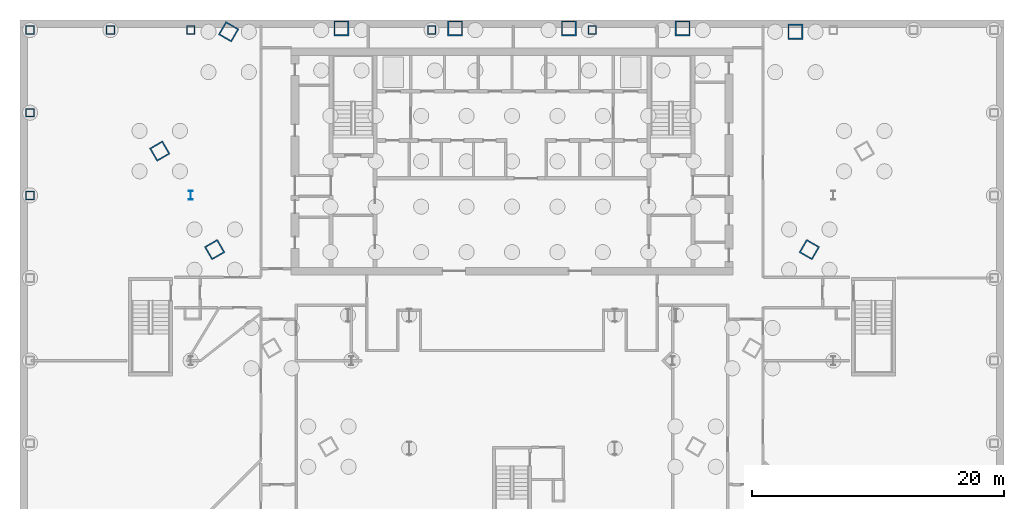
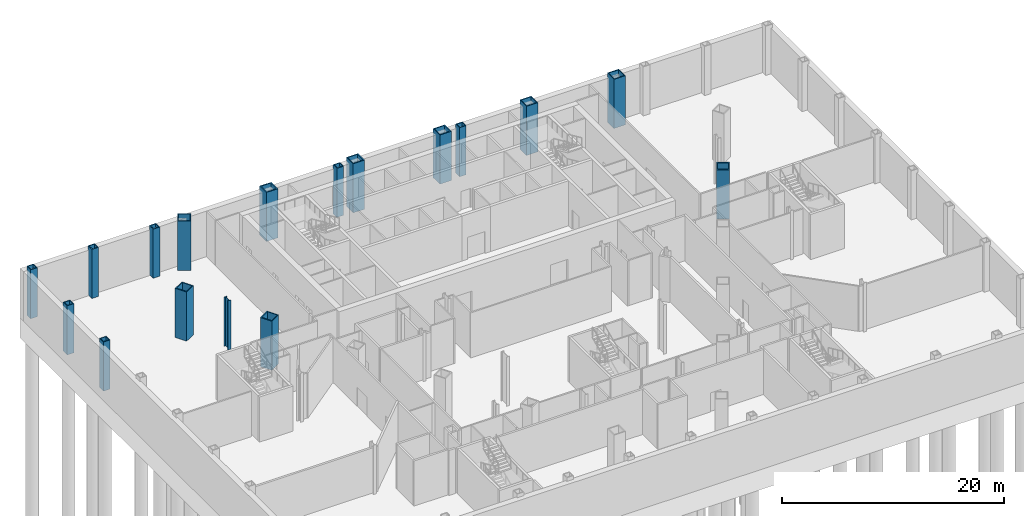
# One storey, part 3 of 19: 17 columns.
"""IFC4 building model written with IfcOpenShell, lengths in metres."""

from ifc_helpers import new_model, si_unit, direction, frame, origin, origin_2d, place, context, subcontext, project, spatial, hollow_rectangle, i_section, extrude, material, material_profile, profile_set, type_object, element, save


model = new_model("IFC4")

# Units and contexts
model_context = context("Model", 3, precision=1e-05, world=origin(), true_north=direction((0.0, 1.0)))
body_context = subcontext(model_context, "Body", "Model", "MODEL_VIEW")
ifc_project = project(units=[si_unit("LENGTHUNIT", "METRE"), si_unit("AREAUNIT", "SQUARE_METRE"), si_unit("VOLUMEUNIT", "CUBIC_METRE"), si_unit("PLANEANGLEUNIT", "RADIAN"), si_unit("MASSUNIT", "GRAM", prefix="KILO")], contexts=[model_context])

# Site, building, storey
site_placement = place(None, origin())
site = spatial("IfcSite", under=ifc_project, at=site_placement, CompositionType="ELEMENT")
building_placement = place(site_placement, origin())
building = spatial("IfcBuilding", under=site, at=building_placement, Name="Njiva Tower", CompositionType="ELEMENT")
storey_placement = place(building_placement, frame((0.0, 0.0, -16.8)))
storey = spatial("IfcBuildingStorey", under=building, at=storey_placement, Name="B3", CompositionType="ELEMENT", Elevation=-16.8)

# Columns
ifc_material = material(Name="Steel S355 J2", Category="steel")
ifc_material_profile_1 = material_profile(ifc_material, hollow_rectangle(XDim=1.2, YDim=1.2, WallThickness=0.1, at=origin_2d()), Name="BOX 1200x1200x100")
ifc_profile_set_1 = profile_set([ifc_material_profile_1], Name="Steel S355 J2")
column_type_1 = type_object("IfcColumnType", Name="C1 Mega-column BOX 1200x1200x100", PredefinedType="COLUMN", material=ifc_profile_set_1)
for number, where, z_axis, x_axis, name in (
    (1, (22.461, 19.267, 0.0), (0.0, 0.0, 1.0), (-1.0, 0.0, 0.0), "Mega-column B3-C01"),
    (2, (13.523, 19.54, 0.0), (0.0, 0.0, 1.0), (-1.0, 0.0, 0.0), "Mega-column B3-C02"),
    (3, (4.508, 19.54, 0.0), (0.0, 0.0, 1.0), (-1.0, 0.0, 0.0), "Mega-column B3-C03"),
    (4, (-4.508, 19.54, 0.0), (0.0, 0.0, 1.0), (-1.0, 0.0, 0.0), "Mega-column B3-C04"),
    (5, (-13.523, 19.54, 0.0), (0.0, 0.0, 1.0), (-1.0, 0.0, 0.0), "Mega-column B3-C05"),
    (6, (-22.461, 19.267, 0.0), (0.0, 0.0, 1.0), (-0.5, -0.866025403784, 0.0), "Mega-column B3-C06"),
    (7, (-27.923, 9.808, 0.0), (0.0, 0.0, 1.0), (0.5, -0.866025403784, 0.0), "Mega-column B3-C07"),
    (8, (-23.569, 2.0, 0.0), (0.0, 0.0, 1.0), (0.5, -0.866025403784, 0.0), "Mega-column B3-C08"),
    (9, (23.569, 2.0, 0.0), (0.0, 0.0, 1.0), (0.5, 0.866025403784, 0.0), "Mega-column B3-C17"),
):
    element("IfcColumn", number, at=place(storey_placement, frame(where, z_axis=z_axis, x_axis=x_axis)), inside=storey, type_object=column_type_1, Name=name, PredefinedType="COLUMN", context=body_context, shape_type="SweptSolid", body=[
        extrude(hollow_rectangle(XDim=1.2, YDim=1.2, WallThickness=0.1, at=origin_2d()), origin(), (0.0, 0.0, 1.0), 5.4),
    ])
ifc_material_profile_2 = material_profile(ifc_material, hollow_rectangle(XDim=0.7, YDim=0.7, WallThickness=0.08, at=origin_2d()), Name="BOX 700x700x80")
ifc_profile_set_2 = profile_set([ifc_material_profile_2], Name="Steel S355 J2")
column_type_2 = type_object("IfcColumnType", Name="C3 Podium perimeter column BOX 700x700x80", PredefinedType="COLUMN", material=ifc_profile_set_2)
for number, where, z_axis, x_axis, name in (
    (10, (6.367, 19.4, 0.0), (0.0, 0.0, 1.0), (-1.0, 0.0, 0.0), "Podium perimeter column B3-C38"),
    (11, (-6.367, 19.4, 0.0), (0.0, 0.0, 1.0), (-1.0, 0.0, 0.0), "Podium perimeter column B3-C39"),
    (12, (-25.467, 19.4, 0.0), (0.0, 0.0, 1.0), (-1.0, 0.0, 0.0), "Podium perimeter column B3-C40"),
    (13, (-31.833, 19.4, 0.0), (0.0, 0.0, 1.0), (-1.0, 0.0, 0.0), "Podium perimeter column B3-C41"),
    (14, (-38.2, 19.4, 0.0), (0.0, 0.0, 1.0), (0.0, -1.0, 0.0), "Podium perimeter column B3-C42"),
    (15, (-38.2, 12.85, 0.0), (0.0, 0.0, 1.0), (0.0, -1.0, 0.0), "Podium perimeter column B3-C43"),
    (16, (-38.2, 6.3, 0.0), (0.0, 0.0, 1.0), (0.0, -1.0, 0.0), "Podium perimeter column B3-C44"),
):
    element("IfcColumn", number, at=place(storey_placement, frame(where, z_axis=z_axis, x_axis=x_axis)), inside=storey, type_object=column_type_2, Name=name, PredefinedType="COLUMN", context=body_context, shape_type="SweptSolid", body=[
        extrude(hollow_rectangle(XDim=0.7, YDim=0.7, WallThickness=0.08, at=origin_2d()), origin(), (0.0, 0.0, 1.0), 5.4),
    ])
ifc_material_profile_3 = material_profile(ifc_material, i_section(OverallWidth=0.304, OverallDepth=0.716, WebThickness=0.021, FlangeThickness=0.04, at=origin_2d()), Name="HEM 700")
ifc_profile_set_3 = profile_set([ifc_material_profile_3], Name="Steel S355 J2")
column_type_3 = type_object("IfcColumnType", Name="C4 Station column HEM 700", PredefinedType="COLUMN", material=ifc_profile_set_3)
column_placement = place(storey_placement, frame((-25.467, 6.3, 0.0), z_axis=(0.0, 0.0, 1.0), x_axis=(1.0, 0.0, 0.0)))
element("IfcColumn", 17, at=column_placement, inside=storey, type_object=column_type_3, Name="Station column B3-C62", PredefinedType="COLUMN", context=body_context, shape_type="SweptSolid", body=[
    extrude(i_section(OverallWidth=0.304, OverallDepth=0.716, WebThickness=0.021, FlangeThickness=0.04, at=origin_2d()), origin(), (0.0, 0.0, 1.0), 5.4),
])

save(model, "model.ifc")
